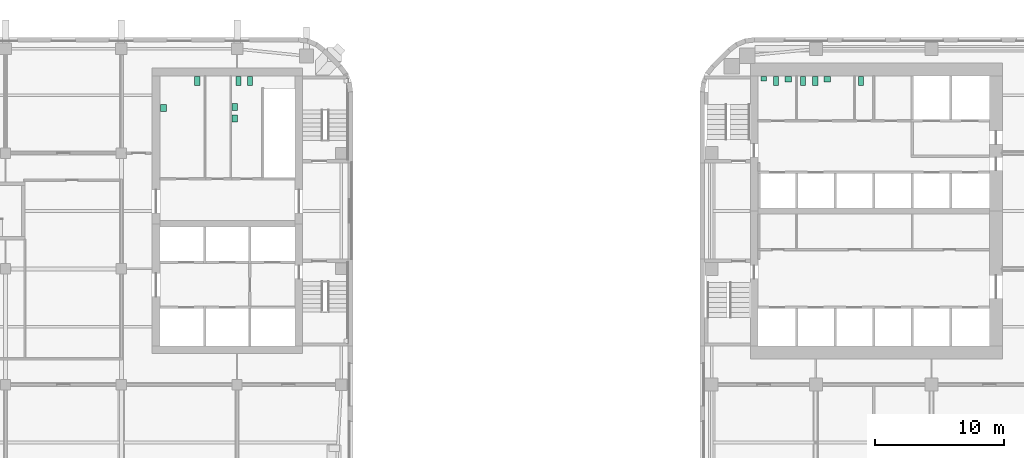
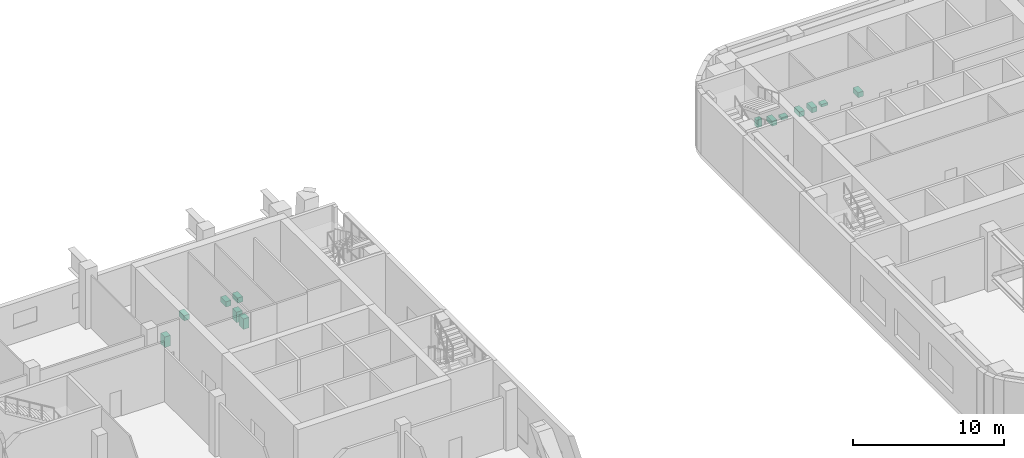
# One storey, part 23 of 23: 13 sanitary terminals.
"""IFC4 building model written with IfcOpenShell, lengths in metres."""

from ifc_helpers import new_model, si_unit, direction, frame, origin, origin_2d, place, context, subcontext, project, spatial, rectangle, extrude, material, type_object, element, save


model = new_model("IFC4")

# Units and contexts
model_context = context("Model", 3, precision=1e-05, world=origin(), true_north=direction((0.0, 1.0)))
body_context = subcontext(model_context, "Body", "Model", "MODEL_VIEW")
ifc_project = project(units=[si_unit("LENGTHUNIT", "METRE"), si_unit("AREAUNIT", "SQUARE_METRE"), si_unit("VOLUMEUNIT", "CUBIC_METRE"), si_unit("PLANEANGLEUNIT", "RADIAN"), si_unit("MASSUNIT", "GRAM", prefix="KILO")], contexts=[model_context])

# Site, building, storey
site_placement = place(None, origin())
site = spatial("IfcSite", under=ifc_project, at=site_placement, CompositionType="ELEMENT")
building_placement = place(site_placement, origin())
building = spatial("IfcBuilding", under=site, at=building_placement, Name="Cinnabar Reach Civic Tower", CompositionType="ELEMENT")
storey_placement = place(building_placement, frame((0.0, 0.0, 46.0)))
storey = spatial("IfcBuildingStorey", under=building, at=storey_placement, Name="L10", CompositionType="ELEMENT", Elevation=46.0)

# Sanitary terminals
ifc_material = material(Name="Vitreous china")
sanitary_terminal_type_1 = type_object("IfcSanitaryTerminalType", Name="T1 WC pan", PredefinedType="TOILETPAN", material=ifc_material)
for number, where, z_axis, x_axis, name in (
    (1, (5.9, 41.6, 0.0), (0.0, 0.0, 1.0), (1.0, 0.0, 0.0), "T1 WC pan 1007-2"),
    (2, (8.0, 41.6, 0.0), (0.0, 0.0, 1.0), (1.0, 0.0, 0.0), "T1 WC pan 1008-1"),
    (3, (8.95, 41.6, 0.0), (0.0, 0.0, 1.0), (1.0, 0.0, 0.0), "T1 WC pan 1008-2"),
    (4, (12.5, 41.6, 0.0), (0.0, 0.0, 1.0), (1.0, 0.0, 0.0), "T1 WC pan 1009-1"),
):
    element("IfcSanitaryTerminal", number, at=place(storey_placement, frame(where, z_axis=z_axis, x_axis=x_axis)), inside=storey, type_object=sanitary_terminal_type_1, Name=name, PredefinedType="TOILETPAN", context=body_context, shape_type="SweptSolid", body=[
        extrude(rectangle(XDim=0.4, YDim=0.7, at=origin_2d()), origin(), (0.0, 0.0, 1.0), 0.4),
    ])
sanitary_terminal_type_2 = type_object("IfcSanitaryTerminalType", Name="T1 urinal", PredefinedType="URINAL", material=ifc_material)
sanitary_terminal_placement = place(storey_placement, frame((4.95, 41.775, 0.0), z_axis=(0.0, 0.0, 1.0), x_axis=(1.0, 0.0, 0.0)))
element("IfcSanitaryTerminal", 5, at=sanitary_terminal_placement, inside=storey, type_object=sanitary_terminal_type_2, Name="T1 urinal 1007-1", PredefinedType="URINAL", context=body_context, shape_type="SweptSolid", body=[
    extrude(rectangle(XDim=0.4, YDim=0.35, at=origin_2d()), origin(), (0.0, 0.0, 1.0), 0.6),
])
sanitary_terminal_type_3 = type_object("IfcSanitaryTerminalType", Name="T1 wash basin", PredefinedType="WASHHANDBASIN", material=ifc_material)
for number, where, z_axis, x_axis, name in (
    (6, (6.85, 41.74, 0.0), (0.0, 0.0, 1.0), (1.0, 0.0, 0.0), "T1 wash basin 1007-3"),
    (7, (9.9, 41.74, 0.0), (0.0, 0.0, 1.0), (1.0, 0.0, 0.0), "T1 wash basin 1008-3"),
):
    element("IfcSanitaryTerminal", number, at=place(storey_placement, frame(where, z_axis=z_axis, x_axis=x_axis)), inside=storey, type_object=sanitary_terminal_type_3, Name=name, PredefinedType="WASHHANDBASIN", context=body_context, shape_type="SweptSolid", body=[
        extrude(rectangle(XDim=0.5, YDim=0.42, at=origin_2d()), origin(), (0.0, 0.0, 1.0), 0.2),
    ])
sanitary_terminal_type_4 = type_object("IfcSanitaryTerminalType", Name="T2 WC pan", PredefinedType="TOILETPAN", material=ifc_material)
for number, where, z_axis, x_axis, name in (
    (8, (-39.1, 41.6, 0.0), (0.0, 0.0, 1.0), (1.0, 0.0, 0.0), "WC pan"),
    (9, (-35.9, 41.6, 0.0), (0.0, 0.0, 1.0), (1.0, 0.0, 0.0), "WC pan"),
    (10, (-35.0, 41.6, 0.0), (0.0, 0.0, 1.0), (1.0, 0.0, 0.0), "WC pan"),
):
    element("IfcSanitaryTerminal", number, at=place(storey_placement, frame(where, z_axis=z_axis, x_axis=x_axis)), inside=storey, type_object=sanitary_terminal_type_4, Name=name, PredefinedType="TOILETPAN", context=body_context, shape_type="SweptSolid", body=[
        extrude(rectangle(XDim=0.4, YDim=0.7, at=origin_2d()), origin(), (0.0, 0.0, 1.0), 0.42),
    ])
sanitary_terminal_type_5 = type_object("IfcSanitaryTerminalType", Name="T2 Wash basin", PredefinedType="WASHHANDBASIN", material=ifc_material)
for number, where, z_axis, x_axis, name in (
    (11, (-41.725, 39.5, 0.0), (0.0, 0.0, 1.0), (1.0, 0.0, 0.0), "Wash basin"),
    (12, (-36.175, 39.6, 0.0), (0.0, 0.0, 1.0), (1.0, 0.0, 0.0), "Wash basin"),
    (13, (-36.175, 38.7, 0.0), (0.0, 0.0, 1.0), (1.0, 0.0, 0.0), "Wash basin"),
):
    element("IfcSanitaryTerminal", number, at=place(storey_placement, frame(where, z_axis=z_axis, x_axis=x_axis)), inside=storey, type_object=sanitary_terminal_type_5, Name=name, PredefinedType="WASHHANDBASIN", context=body_context, shape_type="SweptSolid", body=[
        extrude(rectangle(XDim=0.45, YDim=0.55, at=origin_2d()), origin(), (0.0, 0.0, 1.0), 0.85),
    ])

save(model, "model.ifc")
